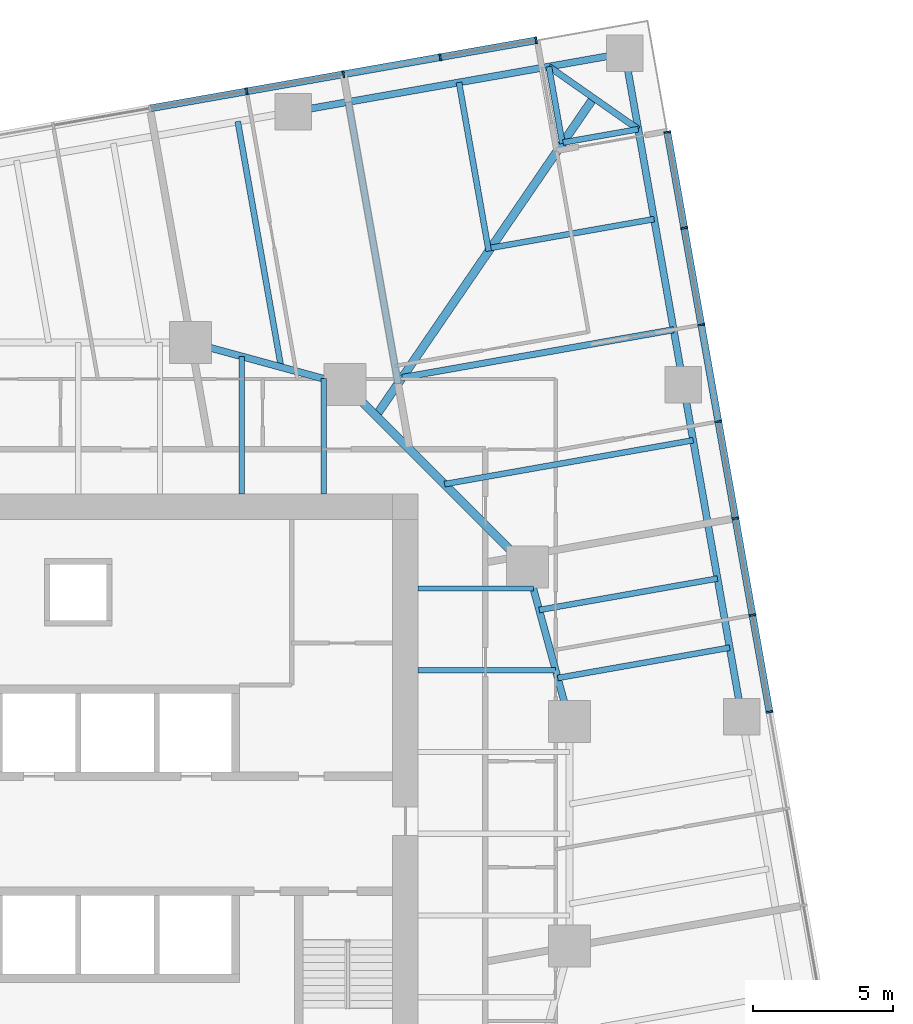
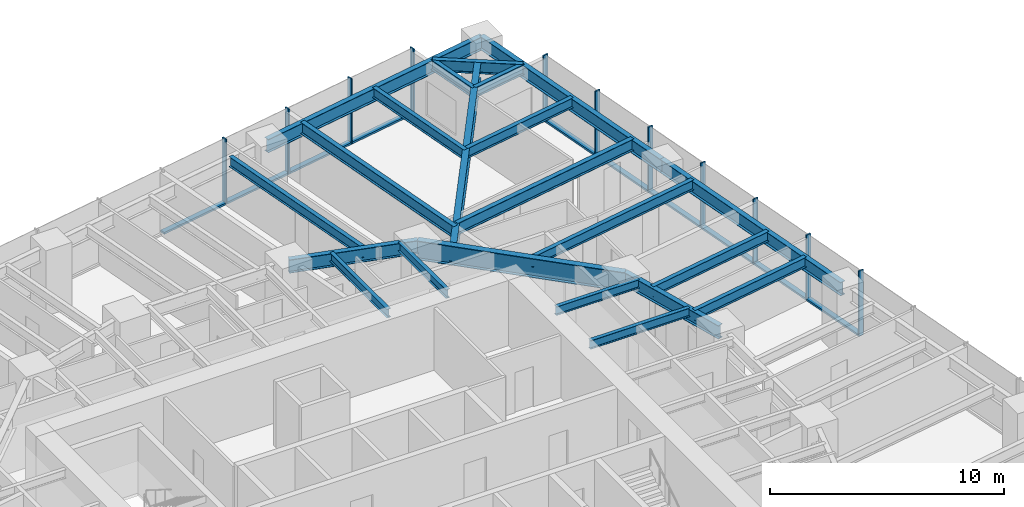
# One storey, part 6 of 14: 22 beams, 21 members, 2 elements without a shape of their own.
"""IFC4 building model written with IfcOpenShell, lengths in metres."""

from ifc_helpers import new_model, si_unit, direction, frame, origin, origin_2d, place, context, subcontext, project, spatial, rectangle, i_section, extrude, material, material_profile, profile_set, type_object, element, aggregate, save


model = new_model("IFC4")

# Units and contexts
model_context = context("Model", 3, precision=1e-05, world=origin(), true_north=direction((0.0, 1.0)))
body_context = subcontext(model_context, "Body", "Model", "MODEL_VIEW")
ifc_project = project(units=[si_unit("LENGTHUNIT", "METRE"), si_unit("AREAUNIT", "SQUARE_METRE"), si_unit("VOLUMEUNIT", "CUBIC_METRE"), si_unit("PLANEANGLEUNIT", "RADIAN"), si_unit("MASSUNIT", "GRAM", prefix="KILO")], contexts=[model_context])

# Site, building, storey
site_placement = place(None, origin())
site = spatial("IfcSite", under=ifc_project, at=site_placement, CompositionType="ELEMENT")
building_placement = place(site_placement, origin())
building = spatial("IfcBuilding", under=site, at=building_placement, Name="Torsade Residences", CompositionType="ELEMENT")
storey_placement = place(building_placement, frame((0.0, 0.0, 89.60009765625)))
storey = spatial("IfcBuildingStorey", under=building, at=storey_placement, Name="L24", CompositionType="ELEMENT", Elevation=89.60009765625)

# Beams
ifc_material_1 = material(Name="Steel grade 300", Category="steel")
ifc_material_profile_1 = material_profile(ifc_material_1, i_section(OverallWidth=0.300048828125, OverallDepth=0.89990234375, WebThickness=0.011962890625, FlangeThickness=0.02490234375, at=origin_2d()), Name="900WB175")
ifc_profile_set_1 = profile_set([ifc_material_profile_1], Name="Steel grade 300")
beam_type_1 = type_object("IfcBeamType", Name="CORNER GIRDER 900WB175", PredefinedType="BEAM", material=ifc_profile_set_1)
beam_1_placement = place(storey_placement, frame((58.3525390625, 56.2099609375, 2.7998046875), z_axis=(-0.564724759437, -0.825279313977, 0.0), x_axis=(0.825279313977, -0.564724759437, 0.0)))
element("IfcBeam", 1, at=beam_1_placement, inside=storey, type_object=beam_type_1, Name="Corner girder 09 L25", PredefinedType="BEAM", context=body_context, shape_type="SweptSolid", body=[
    extrude(i_section(OverallWidth=0.300048828125, OverallDepth=0.89990234375, WebThickness=0.011962890625, FlangeThickness=0.02490234375, at=origin_2d()), origin(), (0.0, 0.0, 1.0), 13.7138671875),
])
ifc_material_2 = material(Name="Steel grade 300", Category="steel")
ifc_material_profile_2 = material_profile(ifc_material_2, i_section(OverallWidth=0.22802734375, OverallDepth=0.60205078125, WebThickness=0.010498046875, FlangeThickness=0.014892578125, FilletRadius=0.013916015625, at=origin_2d()), Name="610UB101")
ifc_profile_set_2 = profile_set([ifc_material_profile_2], Name="Steel grade 300")
beam_type_2 = type_object("IfcBeamType", Name="CORNER TRIMMER 610UB101", PredefinedType="BEAM", material=ifc_profile_set_2)
beam_2_placement = place(storey_placement, frame((56.759521484375, 57.325439453125, 2.948974609375), z_axis=(0.819152285145, -0.573576092373, 0.0), x_axis=(0.573576092373, 0.819152285145, 0.0)))
element("IfcBeam", 2, at=beam_2_placement, inside=storey, type_object=beam_type_2, Name="Corner trimmer 09 L25", PredefinedType="BEAM", context=body_context, shape_type="SweptSolid", body=[
    extrude(i_section(OverallWidth=0.22802734375, OverallDepth=0.60205078125, WebThickness=0.010498046875, FlangeThickness=0.014892578125, FilletRadius=0.013916015625, at=origin_2d()), origin(), (0.0, 0.0, 1.0), 3.88916015625),
])

# Curtain wall, members
ifc_material_3 = material(Name="Aluminium and glass", Category="aluminium")
curtain_wall_type = type_object("IfcCurtainWallType", Name="FRITTED GLASS CURTAIN WALL LOW ZONE", PredefinedType="NOTDEFINED", material=ifc_material_3)
curtain_wall_1_placement = place(storey_placement, origin())
curtain_wall_1 = element("IfcCurtainWall", 3, at=curtain_wall_1_placement, inside=storey, type_object=curtain_wall_type, Name="Curtain wall L24 face 4", PredefinedType="NOTDEFINED")
ifc_material_4 = material(Name="Aluminium mullion", Category="aluminium")
ifc_material_profile_3 = material_profile(ifc_material_4, rectangle(XDim=0.25, YDim=0.06494140625, at=origin_2d()), Name="CURTAIN WALL MULLION 250x65")
ifc_profile_set_3 = profile_set([ifc_material_profile_3], Name="Aluminium mullion")
member_type_1 = type_object("IfcMemberType", Name="CURTAIN WALL MULLION 250x65", PredefinedType="MULLION", material=ifc_profile_set_3)
member_1_placement = place(storey_placement, frame((64.6201171875, 34.34130859375, 0.0), z_axis=(0.0, 0.0, 1.0), x_axis=(-0.984807750372, -0.173648192638, 0.0)))
member_1 = element("IfcMember", 4, at=member_1_placement, type_object=member_type_1, Name="Mullion 7", PredefinedType="MULLION", context=body_context, shape_type="SweptSolid", body=[
    extrude(rectangle(XDim=0.25, YDim=0.06494140625, at=origin_2d()), origin(), (0.0, 0.0, 1.0), 3.39990234375),
])
member_2_placement = place(storey_placement, frame((64.012451171875, 37.7880859375, 0.0), z_axis=(0.0, 0.0, 1.0), x_axis=(-0.984807750372, -0.173648192638, 0.0)))
member_2 = element("IfcMember", 5, at=member_2_placement, type_object=member_type_1, Name="Mullion 8", PredefinedType="MULLION", context=body_context, shape_type="SweptSolid", body=[
    extrude(rectangle(XDim=0.25, YDim=0.06494140625, at=origin_2d()), origin(), (0.0, 0.0, 1.0), 3.39990234375),
])
member_3_placement = place(storey_placement, frame((63.404541015625, 41.23486328125, 0.0), z_axis=(0.0, 0.0, 1.0), x_axis=(-0.984807750372, -0.173648192638, 0.0)))
member_3 = element("IfcMember", 6, at=member_3_placement, type_object=member_type_1, Name="Mullion 9", PredefinedType="MULLION", context=body_context, shape_type="SweptSolid", body=[
    extrude(rectangle(XDim=0.25, YDim=0.06494140625, at=origin_2d()), origin(), (0.0, 0.0, 1.0), 3.39990234375),
])
member_4_placement = place(storey_placement, frame((62.796875, 44.681640625, 0.0), z_axis=(0.0, 0.0, 1.0), x_axis=(-0.984807750372, -0.173648192638, 0.0)))
member_4 = element("IfcMember", 7, at=member_4_placement, type_object=member_type_1, Name="Mullion 10", PredefinedType="MULLION", context=body_context, shape_type="SweptSolid", body=[
    extrude(rectangle(XDim=0.25, YDim=0.06494140625, at=origin_2d()), origin(), (0.0, 0.0, 1.0), 3.39990234375),
])
member_5_placement = place(storey_placement, frame((62.189208984375, 48.12841796875, 0.0), z_axis=(0.0, 0.0, 1.0), x_axis=(-0.984807750372, -0.173648192638, 0.0)))
member_5 = element("IfcMember", 8, at=member_5_placement, type_object=member_type_1, Name="Mullion 11", PredefinedType="MULLION", context=body_context, shape_type="SweptSolid", body=[
    extrude(rectangle(XDim=0.25, YDim=0.06494140625, at=origin_2d()), origin(), (0.0, 0.0, 1.0), 3.39990234375),
])
member_6_placement = place(storey_placement, frame((61.581298828125, 51.575439453125, 0.0), z_axis=(0.0, 0.0, 1.0), x_axis=(-0.984807750372, -0.173648192638, 0.0)))
member_6 = element("IfcMember", 9, at=member_6_placement, type_object=member_type_1, Name="Mullion 12", PredefinedType="MULLION", context=body_context, shape_type="SweptSolid", body=[
    extrude(rectangle(XDim=0.25, YDim=0.06494140625, at=origin_2d()), origin(), (0.0, 0.0, 1.0), 3.39990234375),
])
member_7_placement = place(storey_placement, frame((60.979248046875, 54.990234375, 0.0), z_axis=(0.0, 0.0, 1.0), x_axis=(-0.984807750372, -0.173648192638, 0.0)))
member_7 = element("IfcMember", 10, at=member_7_placement, type_object=member_type_1, Name="Mullion 13", PredefinedType="MULLION", context=body_context, shape_type="SweptSolid", body=[
    extrude(rectangle(XDim=0.25, YDim=0.06494140625, at=origin_2d()), origin(), (0.0, 0.0, 1.0), 3.39990234375),
])

curtain_wall_2_placement = place(storey_placement, origin())
curtain_wall_2 = element("IfcCurtainWall", 11, at=curtain_wall_2_placement, inside=storey, type_object=curtain_wall_type, Name="Curtain wall L24 face 7", PredefinedType="NOTDEFINED")
member_8_placement = place(storey_placement, frame((56.307861328125, 58.26123046875, 0.0), z_axis=(0.0, 0.0, 1.0), x_axis=(0.173648192638, -0.984807750372, 0.0)))
member_8 = element("IfcMember", 12, at=member_8_placement, type_object=member_type_1, Name="Mullion 1", PredefinedType="MULLION", context=body_context, shape_type="SweptSolid", body=[
    extrude(rectangle(XDim=0.25, YDim=0.06494140625, at=origin_2d()), origin(), (0.0, 0.0, 1.0), 3.39990234375),
])
member_9_placement = place(storey_placement, frame((52.892822265625, 57.658935546875, 0.0), z_axis=(0.0, 0.0, 1.0), x_axis=(0.173648192638, -0.984807750372, 0.0)))
member_9 = element("IfcMember", 13, at=member_9_placement, type_object=member_type_1, Name="Mullion 2", PredefinedType="MULLION", context=body_context, shape_type="SweptSolid", body=[
    extrude(rectangle(XDim=0.25, YDim=0.06494140625, at=origin_2d()), origin(), (0.0, 0.0, 1.0), 3.39990234375),
])
member_10_placement = place(storey_placement, frame((49.446044921875, 57.05126953125, 0.0), z_axis=(0.0, 0.0, 1.0), x_axis=(0.173648192638, -0.984807750372, 0.0)))
member_10 = element("IfcMember", 14, at=member_10_placement, type_object=member_type_1, Name="Mullion 3", PredefinedType="MULLION", context=body_context, shape_type="SweptSolid", body=[
    extrude(rectangle(XDim=0.25, YDim=0.06494140625, at=origin_2d()), origin(), (0.0, 0.0, 1.0), 3.39990234375),
])
member_11_placement = place(storey_placement, frame((45.999267578125, 56.443603515625, 0.0), z_axis=(0.0, 0.0, 1.0), x_axis=(0.173648192638, -0.984807750372, 0.0)))
member_11 = element("IfcMember", 15, at=member_11_placement, type_object=member_type_1, Name="Mullion 4", PredefinedType="MULLION", context=body_context, shape_type="SweptSolid", body=[
    extrude(rectangle(XDim=0.25, YDim=0.06494140625, at=origin_2d()), origin(), (0.0, 0.0, 1.0), 3.39990234375),
])

# Member
ifc_material_5 = material(Name="Aluminium transom", Category="aluminium")
ifc_material_profile_4 = material_profile(ifc_material_5, rectangle(XDim=0.25, YDim=0.10009765625, at=origin_2d()), Name="CURTAIN WALL TRANSOM 250x100")
ifc_profile_set_4 = profile_set([ifc_material_profile_4], Name="Aluminium transom")
member_type_2 = type_object("IfcMemberType", Name="CURTAIN WALL TRANSOM 250x100", PredefinedType="USERDEFINED", material=ifc_profile_set_4)
member_12_placement = place(storey_placement, frame((64.614501953125, 34.373291015625, 0.0498046875), z_axis=(-0.17363531196, 0.984810021497, 0.0), x_axis=(-0.984810021497, -0.17363531196, 0.0)))
member_12 = element("IfcMember", 16, at=member_12_placement, type_object=member_type_2, Name="Transom 7.1", ObjectType="TRANSOM", PredefinedType="USERDEFINED", context=body_context, shape_type="SweptSolid", body=[
    extrude(rectangle(XDim=0.25, YDim=0.10009765625, at=origin_2d()), origin(), (0.0, 0.0, 1.0), 3.43505859375),
])

member_13_placement = place(storey_placement, frame((64.0068359375, 37.820068359375, 0.0498046875), z_axis=(-0.17363531196, 0.984810021497, 0.0), x_axis=(-0.984810021497, -0.17363531196, 0.0)))
member_13 = element("IfcMember", 17, at=member_13_placement, type_object=member_type_2, Name="Transom 8.1", ObjectType="TRANSOM", PredefinedType="USERDEFINED", context=body_context, shape_type="SweptSolid", body=[
    extrude(rectangle(XDim=0.25, YDim=0.10009765625, at=origin_2d()), origin(), (0.0, 0.0, 1.0), 3.43505859375),
])

member_14_placement = place(storey_placement, frame((63.39892578125, 41.266845703125, 0.0498046875), z_axis=(-0.17363531196, 0.984810021497, 0.0), x_axis=(-0.984810021497, -0.17363531196, 0.0)))
member_14 = element("IfcMember", 18, at=member_14_placement, type_object=member_type_2, Name="Transom 9.1", ObjectType="TRANSOM", PredefinedType="USERDEFINED", context=body_context, shape_type="SweptSolid", body=[
    extrude(rectangle(XDim=0.25, YDim=0.10009765625, at=origin_2d()), origin(), (0.0, 0.0, 1.0), 3.43505859375),
])

member_15_placement = place(storey_placement, frame((62.791259765625, 44.713623046875, 0.0498046875), z_axis=(-0.17363531196, 0.984810021497, 0.0), x_axis=(-0.984810021497, -0.17363531196, 0.0)))
member_15 = element("IfcMember", 19, at=member_15_placement, type_object=member_type_2, Name="Transom 10.1", ObjectType="TRANSOM", PredefinedType="USERDEFINED", context=body_context, shape_type="SweptSolid", body=[
    extrude(rectangle(XDim=0.25, YDim=0.10009765625, at=origin_2d()), origin(), (0.0, 0.0, 1.0), 3.43505859375),
])

member_16_placement = place(storey_placement, frame((62.18359375, 48.160400390625, 0.0498046875), z_axis=(-0.173704242465, 0.98479786563, 0.0), x_axis=(-0.98479786563, -0.173704242465, 0.0)))
member_16 = element("IfcMember", 20, at=member_16_placement, type_object=member_type_2, Name="Transom 11.1", ObjectType="TRANSOM", PredefinedType="USERDEFINED", context=body_context, shape_type="SweptSolid", body=[
    extrude(rectangle(XDim=0.25, YDim=0.10009765625, at=origin_2d()), origin(), (0.0, 0.0, 1.0), 3.43505859375),
])

member_17_placement = place(storey_placement, frame((61.57568359375, 51.607421875, 0.0498046875), z_axis=(-0.173642067011, 0.984808830466, 0.0), x_axis=(-0.984808830466, -0.173642067011, 0.0)))
member_17 = element("IfcMember", 21, at=member_17_placement, type_object=member_type_2, Name="Transom 12.1", ObjectType="TRANSOM", PredefinedType="USERDEFINED", context=body_context, shape_type="SweptSolid", body=[
    extrude(rectangle(XDim=0.25, YDim=0.10009765625, at=origin_2d()), origin(), (0.0, 0.0, 1.0), 3.402587890625),
])

aggregate(curtain_wall_1, [member_1, member_2, member_3, member_4, member_5, member_6, member_7, member_12, member_13, member_14, member_15, member_16, member_17])

member_18_placement = place(storey_placement, frame((56.275634765625, 58.255615234375, 0.0498046875), z_axis=(-0.984806666774, -0.173654337918, 0.0), x_axis=(0.173654337918, -0.984806666774, 0.0)))
member_18 = element("IfcMember", 22, at=member_18_placement, type_object=member_type_2, Name="Transom 1.1", ObjectType="TRANSOM", PredefinedType="USERDEFINED", context=body_context, shape_type="SweptSolid", body=[
    extrude(rectangle(XDim=0.25, YDim=0.10009765625, at=origin_2d()), origin(), (0.0, 0.0, 1.0), 3.40234375),
])

member_19_placement = place(storey_placement, frame((52.86083984375, 57.6533203125, 0.0498046875), z_axis=(-0.984810021497, -0.17363531196, 0.0), x_axis=(0.17363531196, -0.984810021497, 0.0)))
member_19 = element("IfcMember", 23, at=member_19_placement, type_object=member_type_2, Name="Transom 2.1", ObjectType="TRANSOM", PredefinedType="USERDEFINED", context=body_context, shape_type="SweptSolid", body=[
    extrude(rectangle(XDim=0.25, YDim=0.10009765625, at=origin_2d()), origin(), (0.0, 0.0, 1.0), 3.43505859375),
])

member_20_placement = place(storey_placement, frame((49.4140625, 57.045654296875, 0.0498046875), z_axis=(-0.984810021497, -0.17363531196, 0.0), x_axis=(0.17363531196, -0.984810021497, 0.0)))
member_20 = element("IfcMember", 24, at=member_20_placement, type_object=member_type_2, Name="Transom 3.1", ObjectType="TRANSOM", PredefinedType="USERDEFINED", context=body_context, shape_type="SweptSolid", body=[
    extrude(rectangle(XDim=0.25, YDim=0.10009765625, at=origin_2d()), origin(), (0.0, 0.0, 1.0), 3.43505859375),
])

member_21_placement = place(storey_placement, frame((45.96728515625, 56.437744140625, 0.0498046875), z_axis=(-0.984810021497, -0.17363531196, 0.0), x_axis=(0.17363531196, -0.984810021497, 0.0)))
member_21 = element("IfcMember", 25, at=member_21_placement, type_object=member_type_2, Name="Transom 4.1", ObjectType="TRANSOM", PredefinedType="USERDEFINED", context=body_context, shape_type="SweptSolid", body=[
    extrude(rectangle(XDim=0.25, YDim=0.10009765625, at=origin_2d()), origin(), (0.0, 0.0, 1.0), 3.43505859375),
])

aggregate(curtain_wall_2, [member_8, member_9, member_10, member_11, member_18, member_19, member_20, member_21])

# Beams
ifc_material_6 = material(Name="Steel grade 300", Category="steel")
ifc_material_profile_5 = material_profile(ifc_material_6, i_section(OverallWidth=0.25, OverallDepth=0.699951171875, WebThickness=0.010009765625, FlangeThickness=0.02001953125, at=origin_2d()), Name="700WB130")
ifc_profile_set_5 = profile_set([ifc_material_profile_5], Name="Steel grade 300")
beam_type_3 = type_object("IfcBeamType", Name="EDGE BEAM 700WB130", PredefinedType="SPANDREL", material=ifc_profile_set_5)
beam_3_placement = place(storey_placement, frame((63.635498046875, 34.16748046875, 2.89990234375), z_axis=(-0.173662308598, 0.984805261243, 0.0), x_axis=(-0.984805261243, -0.173662308598, 0.0)))
element("IfcBeam", 26, at=beam_3_placement, inside=storey, type_object=beam_type_3, Name="Edge beam 07 L25", PredefinedType="SPANDREL", context=body_context, shape_type="SweptSolid", body=[
    extrude(i_section(OverallWidth=0.25, OverallDepth=0.699951171875, WebThickness=0.010009765625, FlangeThickness=0.02001953125, at=origin_2d()), origin(), (0.0, 0.0, 1.0), 12.000244140625),
])
for number, where, z_axis, x_axis, name in (
    (27, (61.551513671875, 45.9853515625, 2.89990234375), (-0.173646056486, 0.984808127031, 0.0), (-0.984808127031, -0.173646056486, 0.0), "Edge beam 08 L25"),
    (28, (59.4677734375, 57.802978515625, 2.89990234375), (-0.984808127031, -0.173646056486, 0.0), (0.173646056486, -0.984808127031, 0.0), "Edge beam 09 L25"),
):
    element("IfcBeam", number, at=place(storey_placement, frame(where, z_axis=z_axis, x_axis=x_axis)), inside=storey, type_object=beam_type_3, Name=name, PredefinedType="SPANDREL", context=body_context, shape_type="SweptSolid", body=[
        extrude(i_section(OverallWidth=0.25, OverallDepth=0.699951171875, WebThickness=0.010009765625, FlangeThickness=0.02001953125, at=origin_2d()), origin(), (0.0, 0.0, 1.0), 12.0),
    ])
ifc_material_7 = material(Name="Steel grade 300", Category="steel")
ifc_material_profile_6 = material_profile(ifc_material_7, i_section(OverallWidth=0.18994140625, OverallDepth=0.4541015625, WebThickness=0.008544921875, FlangeThickness=0.0126953125, FilletRadius=0.011474609375, at=origin_2d()), Name="460UB67.1")
ifc_profile_set_6 = profile_set([ifc_material_profile_6], Name="Steel grade 300")
beam_type_4 = type_object("IfcBeamType", Name="INNER FLOOR BEAM 460UB67.1", PredefinedType="JOIST", material=ifc_profile_set_6)
beam_4_placement = place(storey_placement, frame((45.824951171875, 42.10009765625, 3.02294921875), z_axis=(0.0, 1.0, 0.0), x_axis=(-1.0, 0.0, 0.0)))
element("IfcBeam", 29, at=beam_4_placement, inside=storey, type_object=beam_type_4, Name="Inner floor beam IN06 L25", PredefinedType="JOIST", context=body_context, shape_type="SweptSolid", body=[
    extrude(i_section(OverallWidth=0.18994140625, OverallDepth=0.4541015625, WebThickness=0.008544921875, FlangeThickness=0.0126953125, FilletRadius=0.011474609375, at=origin_2d()), origin(), (0.0, 0.0, 1.0), 4.902099609375),
])
beam_5_placement = place(storey_placement, frame((48.737548828125, 42.10009765625, 3.02294921875), z_axis=(0.0, 1.0, 0.0), x_axis=(-1.0, 0.0, 0.0)))
element("IfcBeam", 30, at=beam_5_placement, inside=storey, type_object=beam_type_4, Name="Inner floor beam IN07 L25", PredefinedType="JOIST", context=body_context, shape_type="SweptSolid", body=[
    extrude(i_section(OverallWidth=0.18994140625, OverallDepth=0.4541015625, WebThickness=0.008544921875, FlangeThickness=0.0126953125, FilletRadius=0.011474609375, at=origin_2d()), origin(), (0.0, 0.0, 1.0), 4.10791015625),
])
beam_6_placement = place(storey_placement, frame((52.10009765625, 35.824951171875, 3.02294921875), z_axis=(1.0, 0.0, 0.0), x_axis=(0.0, 1.0, 0.0)))
element("IfcBeam", 31, at=beam_6_placement, inside=storey, type_object=beam_type_4, Name="Inner floor beam IE06 L25", PredefinedType="JOIST", context=body_context, shape_type="SweptSolid", body=[
    extrude(i_section(OverallWidth=0.18994140625, OverallDepth=0.4541015625, WebThickness=0.008544921875, FlangeThickness=0.0126953125, FilletRadius=0.011474609375, at=origin_2d()), origin(), (0.0, 0.0, 1.0), 4.902099609375),
])
beam_7_placement = place(storey_placement, frame((52.10009765625, 38.737548828125, 3.02294921875), z_axis=(1.0, 0.0, 0.0), x_axis=(0.0, 1.0, 0.0)))
element("IfcBeam", 32, at=beam_7_placement, inside=storey, type_object=beam_type_4, Name="Inner floor beam IE07 L25", PredefinedType="JOIST", context=body_context, shape_type="SweptSolid", body=[
    extrude(i_section(OverallWidth=0.18994140625, OverallDepth=0.4541015625, WebThickness=0.008544921875, FlangeThickness=0.0126953125, FilletRadius=0.011474609375, at=origin_2d()), origin(), (0.0, 0.0, 1.0), 4.10791015625),
])
ifc_material_8 = material(Name="Steel grade 300", Category="steel")
ifc_material_profile_7 = material_profile(ifc_material_8, i_section(OverallWidth=0.300048828125, OverallDepth=1.0, WebThickness=0.01611328125, FlangeThickness=0.028076171875, at=origin_2d()), Name="1000WB215")
ifc_profile_set_7 = profile_set([ifc_material_profile_7], Name="Steel grade 300")
beam_type_5 = type_object("IfcBeamType", Name="RING CORNER GIRDER 1000WB215", PredefinedType="BEAM", material=ifc_profile_set_7)
beam_8_placement = place(storey_placement, frame((56.0, 39.5, 2.75), z_axis=(-0.707106781187, 0.707106781187, 0.0), x_axis=(-0.707106781187, -0.707106781187, 0.0)))
element("IfcBeam", 33, at=beam_8_placement, inside=storey, type_object=beam_type_5, Name="Ring girder IR03 L25", PredefinedType="BEAM", context=body_context, shape_type="SweptSolid", body=[
    extrude(i_section(OverallWidth=0.300048828125, OverallDepth=1.0, WebThickness=0.01611328125, FlangeThickness=0.028076171875, at=origin_2d()), origin(), (0.0, 0.0, 1.0), 9.1923828125),
])
ifc_material_9 = material(Name="Steel grade 300", Category="steel")
ifc_material_profile_8 = material_profile(ifc_material_9, i_section(OverallWidth=0.25, OverallDepth=0.699951171875, WebThickness=0.010009765625, FlangeThickness=0.02001953125, at=origin_2d()), Name="700WB130")
ifc_profile_set_8 = profile_set([ifc_material_profile_8], Name="Steel grade 300")
beam_type_6 = type_object("IfcBeamType", Name="RING GIRDER 700WB130", PredefinedType="BEAM", material=ifc_profile_set_8)
for number, where, z_axis, x_axis, name in (
    (34, (57.5, 34.0, 2.89990234375), (-0.263117405792, 0.964763821238, 0.0), (-0.964763821238, -0.263117405792, 0.0), "Ring girder IR02 L25"),
    (35, (49.5, 46.0, 2.89990234375), (-0.964763821238, 0.263117405792, 0.0), (-0.263117405792, -0.964763821238, 0.0), "Ring girder IR04 L25"),
):
    element("IfcBeam", number, at=place(storey_placement, frame(where, z_axis=z_axis, x_axis=x_axis)), inside=storey, type_object=beam_type_6, Name=name, PredefinedType="BEAM", context=body_context, shape_type="SweptSolid", body=[
        extrude(i_section(OverallWidth=0.25, OverallDepth=0.699951171875, WebThickness=0.010009765625, FlangeThickness=0.02001953125, at=origin_2d()), origin(), (0.0, 0.0, 1.0), 5.700927734375),
    ])
ifc_material_10 = material(Name="Steel grade 300", Category="steel")
ifc_material_profile_9 = material_profile(ifc_material_10, i_section(OverallWidth=0.208984375, OverallDepth=0.528076171875, WebThickness=0.009521484375, FlangeThickness=0.01318359375, FilletRadius=0.013916015625, at=origin_2d()), Name="530UB82.0")
ifc_profile_set_9 = profile_set([ifc_material_profile_9], Name="Steel grade 300")
beam_type_7 = type_object("IfcBeamType", Name="SECONDARY BEAM 530UB82.0", PredefinedType="JOIST", material=ifc_profile_set_9)
beam_9_placement = place(storey_placement, frame((63.201171875, 36.629638671875, 2.98583984375), z_axis=(-0.984806474989, -0.173655425542, 0.0), x_axis=(0.173655425542, -0.984806474989, 0.0)))
element("IfcBeam", 36, at=beam_9_placement, inside=storey, type_object=beam_type_7, Name="Floor beam FE07 L25", PredefinedType="JOIST", context=body_context, shape_type="SweptSolid", body=[
    extrude(i_section(OverallWidth=0.208984375, OverallDepth=0.528076171875, WebThickness=0.009521484375, FlangeThickness=0.01318359375, FilletRadius=0.013916015625, at=origin_2d()), origin(), (0.0, 0.0, 1.0), 6.21826171875),
])
beam_10_placement = place(storey_placement, frame((62.76708984375, 39.091552734375, 2.98583984375), z_axis=(-0.984810608823, -0.17363198078, 0.0), x_axis=(0.17363198078, -0.984810608823, 0.0)))
element("IfcBeam", 37, at=beam_10_placement, inside=storey, type_object=beam_type_7, Name="Floor beam FE08 L25", PredefinedType="JOIST", context=body_context, shape_type="SweptSolid", body=[
    extrude(i_section(OverallWidth=0.208984375, OverallDepth=0.528076171875, WebThickness=0.009521484375, FlangeThickness=0.01318359375, FilletRadius=0.013916015625, at=origin_2d()), origin(), (0.0, 0.0, 1.0), 6.4482421875),
])
beam_11_placement = place(storey_placement, frame((61.89892578125, 44.015625, 2.98583984375), z_axis=(-0.984809246638, -0.173639706679, 0.0), x_axis=(0.173639706679, -0.984809246638, 0.0)))
element("IfcBeam", 38, at=beam_11_placement, inside=storey, type_object=beam_type_7, Name="Floor beam FE09 L25", PredefinedType="JOIST", context=body_context, shape_type="SweptSolid", body=[
    extrude(i_section(OverallWidth=0.208984375, OverallDepth=0.528076171875, WebThickness=0.009521484375, FlangeThickness=0.01318359375, FilletRadius=0.013916015625, at=origin_2d()), origin(), (0.0, 0.0, 1.0), 8.989990234375),
])
beam_12_placement = place(storey_placement, frame((60.509765625, 51.89404296875, 2.98583984375), z_axis=(-0.984811033899, -0.173629569808, 0.0), x_axis=(0.173629569808, -0.984811033899, 0.0)))
element("IfcBeam", 39, at=beam_12_placement, inside=storey, type_object=beam_type_7, Name="Floor beam FE11 L25", PredefinedType="JOIST", context=body_context, shape_type="SweptSolid", body=[
    extrude(i_section(OverallWidth=0.208984375, OverallDepth=0.528076171875, WebThickness=0.009521484375, FlangeThickness=0.01318359375, FilletRadius=0.013916015625, at=origin_2d()), origin(), (0.0, 0.0, 1.0), 5.9013671875),
])
beam_13_placement = place(storey_placement, frame((59.9453125, 55.0947265625, 2.98583984375), z_axis=(-0.984807941563, -0.17364710834, 0.0), x_axis=(0.17364710834, -0.984807941563, 0.0)))
element("IfcBeam", 40, at=beam_13_placement, inside=storey, type_object=beam_type_7, Name="Floor beam FE12 L25", PredefinedType="JOIST", context=body_context, shape_type="SweptSolid", body=[
    extrude(i_section(OverallWidth=0.208984375, OverallDepth=0.528076171875, WebThickness=0.009521484375, FlangeThickness=0.01318359375, FilletRadius=0.013916015625, at=origin_2d()), origin(), (0.0, 0.0, 1.0), 2.720458984375),
])
beam_14_placement = place(storey_placement, frame((56.759521484375, 57.325439453125, 2.98583984375), z_axis=(0.173705176765, -0.984797700832, 0.0), x_axis=(0.984797700832, 0.173705176765, 0.0)))
element("IfcBeam", 41, at=beam_14_placement, inside=storey, type_object=beam_type_7, Name="Floor beam FN01 L25", PredefinedType="JOIST", context=body_context, shape_type="SweptSolid", body=[
    extrude(i_section(OverallWidth=0.208984375, OverallDepth=0.528076171875, WebThickness=0.009521484375, FlangeThickness=0.01318359375, FilletRadius=0.013916015625, at=origin_2d()), origin(), (0.0, 0.0, 1.0), 2.780029296875),
])
beam_15_placement = place(storey_placement, frame((53.55908203125, 56.760986328125, 2.98583984375), z_axis=(0.173639225065, -0.984809331556, 0.0), x_axis=(0.984809331556, 0.173639225065, 0.0)))
element("IfcBeam", 42, at=beam_15_placement, inside=storey, type_object=beam_type_7, Name="Floor beam FN02 L25", PredefinedType="JOIST", context=body_context, shape_type="SweptSolid", body=[
    extrude(i_section(OverallWidth=0.208984375, OverallDepth=0.528076171875, WebThickness=0.009521484375, FlangeThickness=0.01318359375, FilletRadius=0.013916015625, at=origin_2d()), origin(), (0.0, 0.0, 1.0), 6.100830078125),
])
beam_16_placement = place(storey_placement, frame((45.680419921875, 55.371826171875, 2.98583984375), z_axis=(0.173667781384, -0.984804296147, 0.0), x_axis=(0.984804296147, 0.173667781384, 0.0)))
element("IfcBeam", 43, at=beam_16_placement, inside=storey, type_object=beam_type_7, Name="Floor beam FN04 L25", PredefinedType="JOIST", context=body_context, shape_type="SweptSolid", body=[
    extrude(i_section(OverallWidth=0.208984375, OverallDepth=0.528076171875, WebThickness=0.009521484375, FlangeThickness=0.01318359375, FilletRadius=0.013916015625, at=origin_2d()), origin(), (0.0, 0.0, 1.0), 8.885986328125),
])
ifc_material_11 = material(Name="Steel grade 300", Category="steel")
ifc_material_profile_10 = material_profile(ifc_material_11, i_section(OverallWidth=0.22900390625, OverallDepth=0.612060546875, WebThickness=0.011962890625, FlangeThickness=0.01953125, FilletRadius=0.013916015625, at=origin_2d()), Name="610UB125")
ifc_profile_set_10 = profile_set([ifc_material_profile_10], Name="Steel grade 300")
beam_type_8 = type_object("IfcBeamType", Name="SECONDARY BEAM 610UB125", PredefinedType="JOIST", material=ifc_profile_set_10)
beam_17_placement = place(storey_placement, frame((61.204345703125, 47.954833984375, 2.94384765625), z_axis=(-0.984807085789, -0.173651961637, 0.0), x_axis=(0.173651961637, -0.984807085789, 0.0)))
element("IfcBeam", 44, at=beam_17_placement, inside=storey, type_object=beam_type_8, Name="Floor beam FE10 L25", PredefinedType="JOIST", context=body_context, shape_type="SweptSolid", body=[
    extrude(i_section(OverallWidth=0.22900390625, OverallDepth=0.612060546875, WebThickness=0.011962890625, FlangeThickness=0.01953125, FilletRadius=0.013916015625, at=origin_2d()), origin(), (0.0, 0.0, 1.0), 9.816162109375),
])
beam_18_placement = place(storey_placement, frame((49.619873046875, 56.06640625, 2.94384765625), z_axis=(0.173644522411, -0.984808397525, 0.0), x_axis=(0.984808397525, 0.173644522411, 0.0)))
element("IfcBeam", 45, at=beam_18_placement, inside=storey, type_object=beam_type_8, Name="Floor beam FN03 L25", PredefinedType="JOIST", context=body_context, shape_type="SweptSolid", body=[
    extrude(i_section(OverallWidth=0.22900390625, OverallDepth=0.612060546875, WebThickness=0.011962890625, FlangeThickness=0.01953125, FilletRadius=0.013916015625, at=origin_2d()), origin(), (0.0, 0.0, 1.0), 10.187744140625),
])

save(model, "model.ifc")
